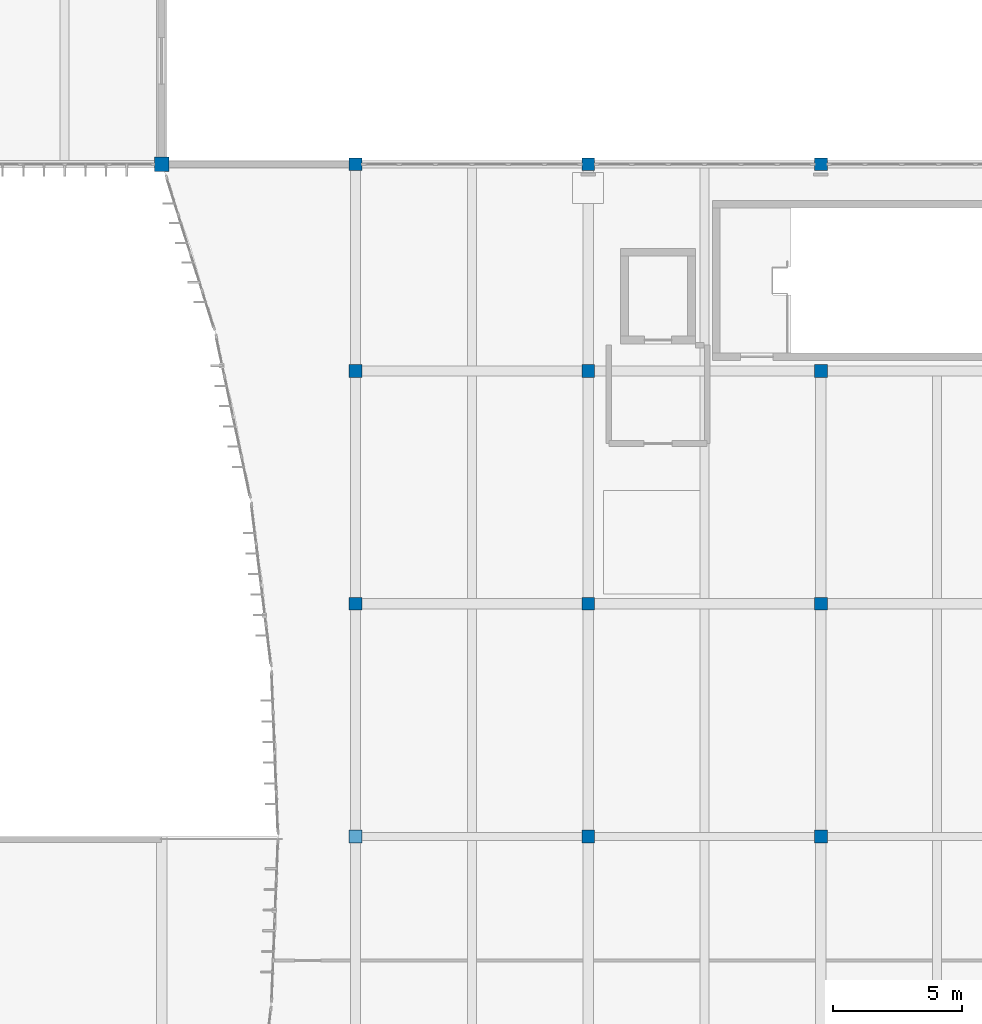
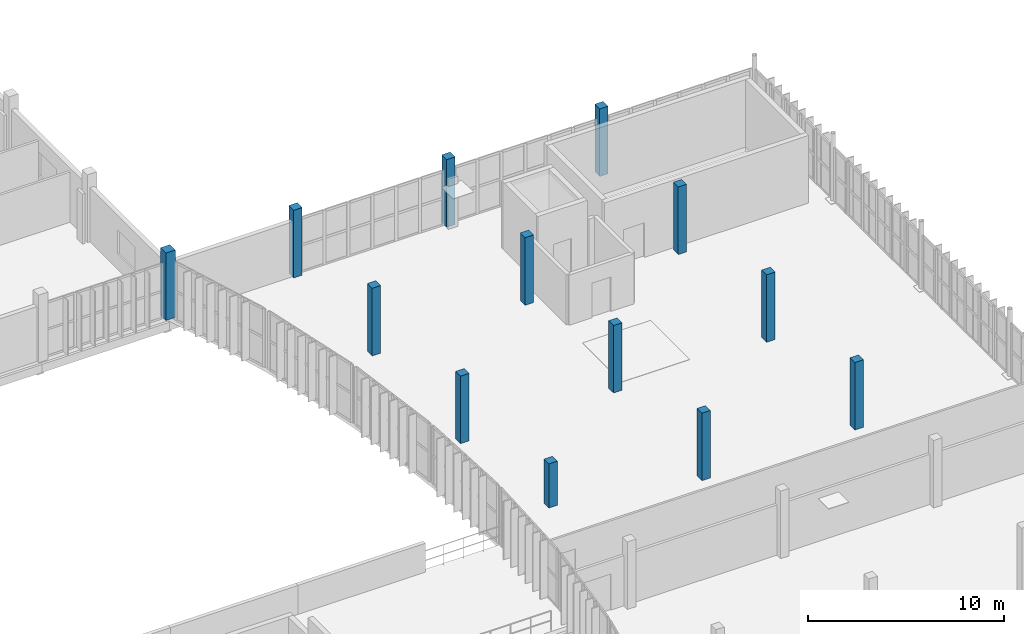
# One storey, part 3 of 61: 13 columns.
"""IFC4 building model written with IfcOpenShell, lengths in metres."""

from ifc_helpers import new_model, si_unit, direction, frame, origin, origin_2d, place, context, subcontext, project, spatial, rectangle, extrude, material, material_profile, profile_set, type_object, element, save


model = new_model("IFC4")

# Units and contexts
model_context = context("Model", 3, precision=1e-05, world=origin(), true_north=direction((0.0, 1.0)))
body_context = subcontext(model_context, "Body", "Model", "MODEL_VIEW")
ifc_project = project(units=[si_unit("LENGTHUNIT", "METRE"), si_unit("AREAUNIT", "SQUARE_METRE"), si_unit("VOLUMEUNIT", "CUBIC_METRE"), si_unit("PLANEANGLEUNIT", "RADIAN"), si_unit("MASSUNIT", "GRAM", prefix="KILO")], contexts=[model_context])

# Site, building, storey
site_placement = place(None, origin())
site = spatial("IfcSite", under=ifc_project, at=site_placement, CompositionType="ELEMENT")
building_placement = place(site_placement, origin())
building = spatial("IfcBuilding", under=site, at=building_placement, Name="Vourika Railside Aquatics Centre", CompositionType="ELEMENT")
storey_placement = place(building_placement, frame((0.0, 0.0, 9.300048828125)))
storey = spatial("IfcBuildingStorey", under=building, at=storey_placement, Name="L02", CompositionType="ELEMENT", Elevation=9.300048828125)

# Columns
ifc_material = material(Name="Concrete C35/45", Category="concrete")
ifc_material_profile_1 = material_profile(ifc_material, rectangle(XDim=0.5, YDim=0.5, at=origin_2d()), Name="RC 500x500")
ifc_profile_set_1 = profile_set([ifc_material_profile_1], Name="Concrete C35/45")
column_type_1 = type_object("IfcColumnType", Name="COL-RC500", PredefinedType="COLUMN", material=ifc_profile_set_1)
column_1_placement = place(storey_placement, frame((141.0, 66.0, 1.449951171875), z_axis=(0.0, 0.0, 1.0), x_axis=(1.0, 0.0, 0.0)))
element("IfcColumn", 1, at=column_1_placement, inside=storey, type_object=column_type_1, Name="Column col:L02:1410_660", PredefinedType="COLUMN", context=body_context, shape_type="SweptSolid", body=[
    extrude(rectangle(XDim=0.5, YDim=0.5, at=origin_2d()), origin(), (0.0, 0.0, 1.0), 2.75),
])
for number, where, z_axis, x_axis, name in (
    (2, (141.0, 75.0, 0.0), (0.0, 0.0, 1.0), (1.0, 0.0, 0.0), "Column col:L02:1410_750"),
    (3, (141.0, 84.0, 0.0), (0.0, 0.0, 1.0), (1.0, 0.0, 0.0), "Column col:L02:1410_840"),
    (4, (141.0, 92.0, 0.0), (0.0, 0.0, 1.0), (1.0, 0.0, 0.0), "Column col:L02:1410_920"),
    (5, (150.0, 66.0, 0.0), (0.0, 0.0, 1.0), (1.0, 0.0, 0.0), "Column col:L02:1500_660"),
    (6, (150.0, 75.0, 0.0), (0.0, 0.0, 1.0), (1.0, 0.0, 0.0), "Column col:L02:1500_750"),
    (7, (150.0, 84.0, 0.0), (0.0, 0.0, 1.0), (1.0, 0.0, 0.0), "Column col:L02:1500_840"),
    (8, (150.0, 92.0, 0.0), (0.0, 0.0, 1.0), (1.0, 0.0, 0.0), "Column col:L02:1500_920"),
    (9, (159.0, 66.0, 0.0), (0.0, 0.0, 1.0), (1.0, 0.0, 0.0), "Column col:L02:1590_660"),
    (10, (159.0, 75.0, 0.0), (0.0, 0.0, 1.0), (1.0, 0.0, 0.0), "Column col:L02:1590_750"),
    (11, (159.0, 84.0, 0.0), (0.0, 0.0, 1.0), (1.0, 0.0, 0.0), "Column col:L02:1590_840"),
    (12, (159.0, 92.0, 0.0), (0.0, 0.0, 1.0), (1.0, 0.0, 0.0), "Column col:L02:1590_920"),
):
    element("IfcColumn", number, at=place(storey_placement, frame(where, z_axis=z_axis, x_axis=x_axis)), inside=storey, type_object=column_type_1, Name=name, PredefinedType="COLUMN", context=body_context, shape_type="SweptSolid", body=[
        extrude(rectangle(XDim=0.5, YDim=0.5, at=origin_2d()), origin(), (0.0, 0.0, 1.0), 4.199951171875),
    ])
ifc_material_profile_2 = material_profile(ifc_material, rectangle(XDim=0.550048828125, YDim=0.550048828125, at=origin_2d()), Name="RC 550x550")
ifc_profile_set_2 = profile_set([ifc_material_profile_2], Name="Concrete C35/45")
column_type_2 = type_object("IfcColumnType", Name="COL-RC550", PredefinedType="COLUMN", material=ifc_profile_set_2)
column_2_placement = place(storey_placement, frame((133.5, 92.0, 0.0), z_axis=(0.0, 0.0, 1.0), x_axis=(1.0, 0.0, 0.0)))
element("IfcColumn", 13, at=column_2_placement, inside=storey, type_object=column_type_2, Name="Column col:L02:1335_920", PredefinedType="COLUMN", context=body_context, shape_type="SweptSolid", body=[
    extrude(rectangle(XDim=0.550048828125, YDim=0.550048828125, at=origin_2d()), origin(), (0.0, 0.0, 1.0), 4.199951171875),
])

save(model, "model.ifc")
